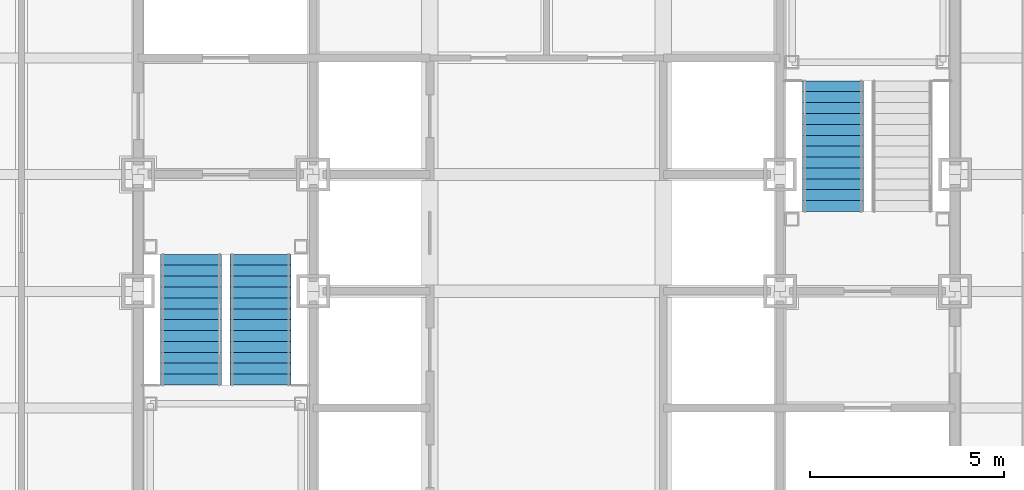
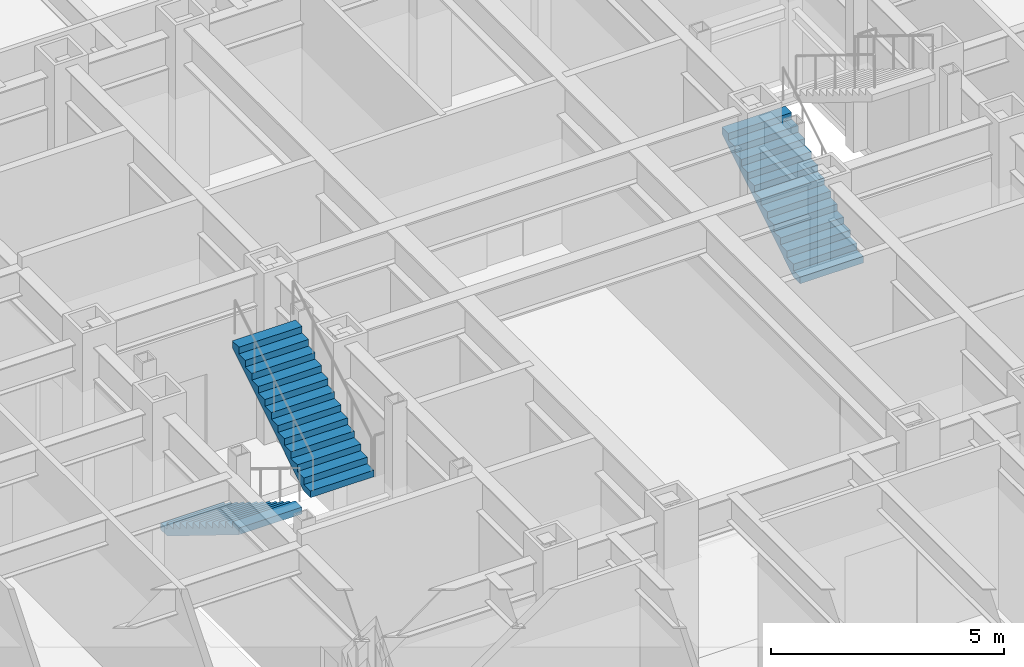
# One storey, part 12 of 17: 3 stair flights, 2 elements without a shape of their own.
"""IFC4 building model written with IfcOpenShell, lengths in metres."""

from ifc_helpers import new_model, si_unit, direction, frame, origin, place, context, subcontext, project, spatial, faceted_brep, material, type_object, element, aggregate, save


model = new_model("IFC4")

# Units and contexts
model_context = context("Model", 3, precision=1e-05, world=origin(), true_north=direction((0.0, 1.0)))
body_context = subcontext(model_context, "Body", "Model", "MODEL_VIEW")
ifc_project = project(units=[si_unit("LENGTHUNIT", "METRE"), si_unit("AREAUNIT", "SQUARE_METRE"), si_unit("VOLUMEUNIT", "CUBIC_METRE"), si_unit("PLANEANGLEUNIT", "RADIAN"), si_unit("MASSUNIT", "GRAM", prefix="KILO")], contexts=[model_context])

# Site, building, storey
site_placement = place(None, origin())
site = spatial("IfcSite", under=ifc_project, at=site_placement, CompositionType="ELEMENT")
building_placement = place(site_placement, origin())
building = spatial("IfcBuilding", under=site, at=building_placement, Name="Chuquiago Exchange Tower", CompositionType="ELEMENT")
storey_placement = place(building_placement, frame((0.0, 0.0, 69.300048828125)))
storey = spatial("IfcBuildingStorey", under=building, at=storey_placement, Name="L14", CompositionType="ELEMENT", Elevation=69.300048828125)

# Stair, stair flights
ifc_material_1 = material(Name="Concrete C30/37, precast", Category="concrete")
stair_type_1 = type_object("IfcStairType", Name="ST1 half-turn stair 4500", PredefinedType="HALF_TURN_STAIR", material=ifc_material_1)
stair_1_placement = place(storey_placement, origin())
stair_1 = element("IfcStair", 1, at=stair_1_placement, inside=storey, type_object=stair_type_1, Name="Stair ST1 L14", PredefinedType="HALF_TURN_STAIR")
ifc_material_2 = material(Name="Concrete C30/37, precast", Category="concrete")
stair_flight_type = type_object("IfcStairFlightType", Name="ST-F flight 1570 for 4500 storey", PredefinedType="STRAIGHT", material=ifc_material_2)
stair_flight_1_placement = place(storey_placement, frame((13.360107421875, 21.949951171875, 0.0), z_axis=(0.0, 0.0, 1.0), x_axis=(0.0, -1.0, 0.0)))
stair_flight_1 = element("IfcStairFlight", 2, at=stair_flight_1_placement, type_object=stair_flight_type, Name="ST1 flight 1", NumberOfRisers=13, NumberOfTreads=12, PredefinedType="STRAIGHT", RiserHeight=0.173076923, TreadLength=0.28, context=body_context, shape_type="Brep", body=[
    faceted_brep([(0.0, 0.78515625, 0.0), (0.0, 0.78515625, 0.173095703125), (0.280029296875, 0.78515625, 0.173095703125), (0.280029296875, 0.78515625, 0.34619140625), (0.56005859375, 0.78515625, 0.34619140625), (0.56005859375, 0.78515625, 0.519287109375), (0.840087890625, 0.78515625, 0.519287109375), (0.840087890625, 0.78515625, 0.6923828125), (1.1201171875, 0.78515625, 0.6923828125), (1.1201171875, 0.78515625, 0.865478515625), (1.39990234375, 0.78515625, 0.865478515625), (1.39990234375, 0.78515625, 1.03857421875), (1.679931640625, 0.78515625, 1.03857421875), (1.679931640625, 0.78515625, 1.21142578125), (1.9599609375, 0.78515625, 1.21142578125), (1.9599609375, 0.78515625, 1.384521484375), (2.239990234375, 0.78515625, 1.384521484375), (2.239990234375, 0.78515625, 1.5576171875), (2.52001953125, 0.78515625, 1.5576171875), (2.52001953125, 0.78515625, 1.730712890625), (2.800048828125, 0.78515625, 1.730712890625), (2.800048828125, 0.78515625, 1.90380859375), (3.080078125, 0.78515625, 1.90380859375), (3.080078125, 0.78515625, 2.076904296875), (3.360107421875, 0.78515625, 2.076904296875), (3.360107421875, 0.78515625, 1.900634765625), (0.28515625, 0.78515625, 0.0), (0.28515625, -0.78515625, 0.0), (3.360107421875, -0.78515625, 1.900634765625), (3.360107421875, -0.78515625, 2.076904296875), (3.080078125, -0.78515625, 2.076904296875), (3.080078125, -0.78515625, 1.90380859375), (2.800048828125, -0.78515625, 1.90380859375), (2.800048828125, -0.78515625, 1.730712890625), (2.52001953125, -0.78515625, 1.730712890625), (2.52001953125, -0.78515625, 1.5576171875), (2.239990234375, -0.78515625, 1.5576171875), (2.239990234375, -0.78515625, 1.384521484375), (1.9599609375, -0.78515625, 1.384521484375), (1.9599609375, -0.78515625, 1.21142578125), (1.679931640625, -0.78515625, 1.21142578125), (1.679931640625, -0.78515625, 1.03857421875), (1.39990234375, -0.78515625, 1.03857421875), (1.39990234375, -0.78515625, 0.865478515625), (1.1201171875, -0.78515625, 0.865478515625), (1.1201171875, -0.78515625, 0.6923828125), (0.840087890625, -0.78515625, 0.6923828125), (0.840087890625, -0.78515625, 0.519287109375), (0.56005859375, -0.78515625, 0.519287109375), (0.56005859375, -0.78515625, 0.34619140625), (0.280029296875, -0.78515625, 0.34619140625), (0.280029296875, -0.78515625, 0.173095703125), (0.0, -0.78515625, 0.173095703125), (0.0, -0.78515625, 0.0), (0.0, 0.392578125, 0.0), (0.0, 0.392578125, 0.173095703125), (0.0, 0.0, 0.0), (0.0, 0.0, 0.173095703125), (0.0, -0.392578125, 0.0), (0.0, -0.392578125, 0.173095703125), (0.280029296875, 0.392578125, 0.173095703125), (0.280029296875, 0.0, 0.173095703125), (0.280029296875, -0.392578125, 0.173095703125), (0.280029296875, 0.392578125, 0.34619140625), (0.280029296875, 0.0, 0.34619140625), (0.280029296875, -0.392578125, 0.34619140625), (0.56005859375, 0.392578125, 0.34619140625), (0.56005859375, 0.0, 0.34619140625), (0.56005859375, -0.392578125, 0.34619140625), (0.56005859375, 0.392578125, 0.519287109375), (0.56005859375, 0.0, 0.519287109375), (0.56005859375, -0.392578125, 0.519287109375), (0.840087890625, 0.392578125, 0.519287109375), (0.840087890625, 0.0, 0.519287109375), (0.840087890625, -0.392578125, 0.519287109375), (0.840087890625, 0.392578125, 0.6923828125), (0.840087890625, 0.0, 0.6923828125), (0.840087890625, -0.392578125, 0.6923828125), (1.1201171875, 0.392578125, 0.6923828125), (1.1201171875, 0.0, 0.6923828125), (1.1201171875, -0.392578125, 0.6923828125), (1.1201171875, 0.392578125, 0.865478515625), (1.1201171875, 0.0, 0.865478515625), (1.1201171875, -0.392578125, 0.865478515625), (1.39990234375, 0.392578125, 0.865478515625), (1.39990234375, 0.0, 0.865478515625), (1.39990234375, -0.392578125, 0.865478515625), (1.39990234375, 0.392578125, 1.03857421875), (1.39990234375, 0.0, 1.03857421875), (1.39990234375, -0.392578125, 1.03857421875), (1.679931640625, 0.392578125, 1.03857421875), (1.679931640625, 0.0, 1.03857421875), (1.679931640625, -0.392578125, 1.03857421875), (1.679931640625, 0.392578125, 1.21142578125), (1.679931640625, 0.0, 1.21142578125), (1.679931640625, -0.392578125, 1.21142578125), (1.9599609375, 0.392578125, 1.21142578125), (1.9599609375, 0.0, 1.21142578125), (1.9599609375, -0.392578125, 1.21142578125), (1.9599609375, 0.392578125, 1.384521484375), (1.9599609375, 0.0, 1.384521484375), (1.9599609375, -0.392578125, 1.384521484375), (2.239990234375, 0.392578125, 1.384521484375), (2.239990234375, 0.0, 1.384521484375), (2.239990234375, -0.392578125, 1.384521484375), (2.239990234375, 0.392578125, 1.5576171875), (2.239990234375, 0.0, 1.5576171875), (2.239990234375, -0.392578125, 1.5576171875), (2.52001953125, 0.392578125, 1.5576171875), (2.52001953125, 0.0, 1.5576171875), (2.52001953125, -0.392578125, 1.5576171875), (2.52001953125, 0.392578125, 1.730712890625), (2.52001953125, 0.0, 1.730712890625), (2.52001953125, -0.392578125, 1.730712890625), (2.800048828125, 0.392578125, 1.730712890625), (2.800048828125, 0.0, 1.730712890625), (2.800048828125, -0.392578125, 1.730712890625), (2.800048828125, 0.392578125, 1.90380859375), (2.800048828125, 0.0, 1.90380859375), (2.800048828125, -0.392578125, 1.90380859375), (3.080078125, 0.392578125, 1.90380859375), (3.080078125, 0.0, 1.90380859375), (3.080078125, -0.392578125, 1.90380859375), (3.080078125, 0.392578125, 2.076904296875), (3.080078125, 0.0, 2.076904296875), (3.080078125, -0.392578125, 2.076904296875), (3.360107421875, 0.392578125, 2.076904296875), (3.360107421875, 0.0, 2.076904296875), (3.360107421875, -0.392578125, 2.076904296875), (3.360107421875, 0.392578125, 1.900634765625), (3.360107421875, 0.0, 1.900634765625), (3.360107421875, -0.392578125, 1.900634765625), (0.28515625, 0.392578125, 0.0), (0.28515625, 0.0, 0.0), (0.28515625, -0.392578125, 0.0)], [[[0, 1, 2, 3, 4, 5, 6, 7, 8, 9, 10, 11, 12, 13, 14, 15, 16, 17, 18, 19, 20, 21, 22, 23, 24, 25, 26]], [[27, 28, 29, 30, 31, 32, 33, 34, 35, 36, 37, 38, 39, 40, 41, 42, 43, 44, 45, 46, 47, 48, 49, 50, 51, 52, 53]], [[1, 0, 54, 55]], [[55, 54, 56, 57]], [[57, 56, 58, 59]], [[59, 58, 53, 52]], [[2, 1, 55, 60]], [[60, 55, 57, 61]], [[61, 57, 59, 62]], [[62, 59, 52, 51]], [[3, 2, 60, 63]], [[63, 60, 61, 64]], [[64, 61, 62, 65]], [[65, 62, 51, 50]], [[4, 3, 63, 66]], [[66, 63, 64, 67]], [[67, 64, 65, 68]], [[68, 65, 50, 49]], [[5, 4, 66, 69]], [[69, 66, 67, 70]], [[70, 67, 68, 71]], [[71, 68, 49, 48]], [[6, 5, 69, 72]], [[72, 69, 70, 73]], [[73, 70, 71, 74]], [[74, 71, 48, 47]], [[7, 6, 72, 75]], [[75, 72, 73, 76]], [[76, 73, 74, 77]], [[77, 74, 47, 46]], [[8, 7, 75, 78]], [[78, 75, 76, 79]], [[79, 76, 77, 80]], [[80, 77, 46, 45]], [[9, 8, 78, 81]], [[81, 78, 79, 82]], [[82, 79, 80, 83]], [[83, 80, 45, 44]], [[10, 9, 81, 84]], [[84, 81, 82, 85]], [[85, 82, 83, 86]], [[86, 83, 44, 43]], [[11, 10, 84, 87]], [[87, 84, 85, 88]], [[88, 85, 86, 89]], [[89, 86, 43, 42]], [[12, 11, 87, 90]], [[90, 87, 88, 91]], [[91, 88, 89, 92]], [[92, 89, 42, 41]], [[13, 12, 90, 93]], [[93, 90, 91, 94]], [[94, 91, 92, 95]], [[95, 92, 41, 40]], [[14, 13, 93, 96]], [[96, 93, 94, 97]], [[97, 94, 95, 98]], [[98, 95, 40, 39]], [[15, 14, 96, 99]], [[99, 96, 97, 100]], [[100, 97, 98, 101]], [[101, 98, 39, 38]], [[16, 15, 99, 102]], [[102, 99, 100, 103]], [[103, 100, 101, 104]], [[104, 101, 38, 37]], [[17, 16, 102, 105]], [[105, 102, 103, 106]], [[106, 103, 104, 107]], [[107, 104, 37, 36]], [[18, 17, 105, 108]], [[108, 105, 106, 109]], [[109, 106, 107, 110]], [[110, 107, 36, 35]], [[19, 18, 108, 111]], [[111, 108, 109, 112]], [[112, 109, 110, 113]], [[113, 110, 35, 34]], [[20, 19, 111, 114]], [[114, 111, 112, 115]], [[115, 112, 113, 116]], [[116, 113, 34, 33]], [[21, 20, 114, 117]], [[117, 114, 115, 118]], [[118, 115, 116, 119]], [[119, 116, 33, 32]], [[22, 21, 117, 120]], [[120, 117, 118, 121]], [[121, 118, 119, 122]], [[122, 119, 32, 31]], [[23, 22, 120, 123]], [[123, 120, 121, 124]], [[124, 121, 122, 125]], [[125, 122, 31, 30]], [[24, 23, 123, 126]], [[126, 123, 124, 127]], [[127, 124, 125, 128]], [[128, 125, 30, 29]], [[25, 24, 126, 129]], [[129, 126, 127, 130]], [[130, 127, 128, 131]], [[131, 128, 29, 28]], [[26, 25, 129, 132]], [[132, 129, 130, 133]], [[133, 130, 131, 134]], [[134, 131, 28, 27]], [[0, 26, 132, 54]], [[54, 132, 133, 56]], [[56, 133, 134, 58]], [[58, 134, 27, 53]]]),
])
stair_flight_2_placement = place(storey_placement, frame((15.139892578125, 18.590087890625, 2.25), z_axis=(0.0, 0.0, 1.0), x_axis=(0.0, 1.0, 0.0)))
stair_flight_2 = element("IfcStairFlight", 3, at=stair_flight_2_placement, type_object=stair_flight_type, Name="ST1 flight 2", NumberOfRisers=13, NumberOfTreads=12, PredefinedType="STRAIGHT", RiserHeight=0.173076923, TreadLength=0.28, context=body_context, shape_type="Brep", body=[
    faceted_brep([(0.0, 0.78515625, 0.0), (0.0, 0.78515625, 0.173095703125), (0.280029296875, 0.78515625, 0.173095703125), (0.280029296875, 0.78515625, 0.34619140625), (0.56005859375, 0.78515625, 0.34619140625), (0.56005859375, 0.78515625, 0.519287109375), (0.840087890625, 0.78515625, 0.519287109375), (0.840087890625, 0.78515625, 0.6923828125), (1.1201171875, 0.78515625, 0.6923828125), (1.1201171875, 0.78515625, 0.865478515625), (1.39990234375, 0.78515625, 0.865478515625), (1.39990234375, 0.78515625, 1.03857421875), (1.679931640625, 0.78515625, 1.03857421875), (1.679931640625, 0.78515625, 1.21142578125), (1.9599609375, 0.78515625, 1.21142578125), (1.9599609375, 0.78515625, 1.384521484375), (2.239990234375, 0.78515625, 1.384521484375), (2.239990234375, 0.78515625, 1.5576171875), (2.52001953125, 0.78515625, 1.5576171875), (2.52001953125, 0.78515625, 1.730712890625), (2.800048828125, 0.78515625, 1.730712890625), (2.800048828125, 0.78515625, 1.90380859375), (3.080078125, 0.78515625, 1.90380859375), (3.080078125, 0.78515625, 2.076904296875), (3.360107421875, 0.78515625, 2.076904296875), (3.360107421875, 0.78515625, 1.900634765625), (0.28515625, 0.78515625, 0.0), (0.28515625, -0.78515625, 0.0), (3.360107421875, -0.78515625, 1.900634765625), (3.360107421875, -0.78515625, 2.076904296875), (3.080078125, -0.78515625, 2.076904296875), (3.080078125, -0.78515625, 1.90380859375), (2.800048828125, -0.78515625, 1.90380859375), (2.800048828125, -0.78515625, 1.730712890625), (2.52001953125, -0.78515625, 1.730712890625), (2.52001953125, -0.78515625, 1.5576171875), (2.239990234375, -0.78515625, 1.5576171875), (2.239990234375, -0.78515625, 1.384521484375), (1.9599609375, -0.78515625, 1.384521484375), (1.9599609375, -0.78515625, 1.21142578125), (1.679931640625, -0.78515625, 1.21142578125), (1.679931640625, -0.78515625, 1.03857421875), (1.39990234375, -0.78515625, 1.03857421875), (1.39990234375, -0.78515625, 0.865478515625), (1.1201171875, -0.78515625, 0.865478515625), (1.1201171875, -0.78515625, 0.6923828125), (0.840087890625, -0.78515625, 0.6923828125), (0.840087890625, -0.78515625, 0.519287109375), (0.56005859375, -0.78515625, 0.519287109375), (0.56005859375, -0.78515625, 0.34619140625), (0.280029296875, -0.78515625, 0.34619140625), (0.280029296875, -0.78515625, 0.173095703125), (0.0, -0.78515625, 0.173095703125), (0.0, -0.78515625, 0.0), (0.0, 0.392578125, 0.0), (0.0, 0.392578125, 0.173095703125), (0.0, 0.0, 0.0), (0.0, 0.0, 0.173095703125), (0.0, -0.392578125, 0.0), (0.0, -0.392578125, 0.173095703125), (0.280029296875, 0.392578125, 0.173095703125), (0.280029296875, 0.0, 0.173095703125), (0.280029296875, -0.392578125, 0.173095703125), (0.280029296875, 0.392578125, 0.34619140625), (0.280029296875, 0.0, 0.34619140625), (0.280029296875, -0.392578125, 0.34619140625), (0.56005859375, 0.392578125, 0.34619140625), (0.56005859375, 0.0, 0.34619140625), (0.56005859375, -0.392578125, 0.34619140625), (0.56005859375, 0.392578125, 0.519287109375), (0.56005859375, 0.0, 0.519287109375), (0.56005859375, -0.392578125, 0.519287109375), (0.840087890625, 0.392578125, 0.519287109375), (0.840087890625, 0.0, 0.519287109375), (0.840087890625, -0.392578125, 0.519287109375), (0.840087890625, 0.392578125, 0.6923828125), (0.840087890625, 0.0, 0.6923828125), (0.840087890625, -0.392578125, 0.6923828125), (1.1201171875, 0.392578125, 0.6923828125), (1.1201171875, 0.0, 0.6923828125), (1.1201171875, -0.392578125, 0.6923828125), (1.1201171875, 0.392578125, 0.865478515625), (1.1201171875, 0.0, 0.865478515625), (1.1201171875, -0.392578125, 0.865478515625), (1.39990234375, 0.392578125, 0.865478515625), (1.39990234375, 0.0, 0.865478515625), (1.39990234375, -0.392578125, 0.865478515625), (1.39990234375, 0.392578125, 1.03857421875), (1.39990234375, 0.0, 1.03857421875), (1.39990234375, -0.392578125, 1.03857421875), (1.679931640625, 0.392578125, 1.03857421875), (1.679931640625, 0.0, 1.03857421875), (1.679931640625, -0.392578125, 1.03857421875), (1.679931640625, 0.392578125, 1.21142578125), (1.679931640625, 0.0, 1.21142578125), (1.679931640625, -0.392578125, 1.21142578125), (1.9599609375, 0.392578125, 1.21142578125), (1.9599609375, 0.0, 1.21142578125), (1.9599609375, -0.392578125, 1.21142578125), (1.9599609375, 0.392578125, 1.384521484375), (1.9599609375, 0.0, 1.384521484375), (1.9599609375, -0.392578125, 1.384521484375), (2.239990234375, 0.392578125, 1.384521484375), (2.239990234375, 0.0, 1.384521484375), (2.239990234375, -0.392578125, 1.384521484375), (2.239990234375, 0.392578125, 1.5576171875), (2.239990234375, 0.0, 1.5576171875), (2.239990234375, -0.392578125, 1.5576171875), (2.52001953125, 0.392578125, 1.5576171875), (2.52001953125, 0.0, 1.5576171875), (2.52001953125, -0.392578125, 1.5576171875), (2.52001953125, 0.392578125, 1.730712890625), (2.52001953125, 0.0, 1.730712890625), (2.52001953125, -0.392578125, 1.730712890625), (2.800048828125, 0.392578125, 1.730712890625), (2.800048828125, 0.0, 1.730712890625), (2.800048828125, -0.392578125, 1.730712890625), (2.800048828125, 0.392578125, 1.90380859375), (2.800048828125, 0.0, 1.90380859375), (2.800048828125, -0.392578125, 1.90380859375), (3.080078125, 0.392578125, 1.90380859375), (3.080078125, 0.0, 1.90380859375), (3.080078125, -0.392578125, 1.90380859375), (3.080078125, 0.392578125, 2.076904296875), (3.080078125, 0.0, 2.076904296875), (3.080078125, -0.392578125, 2.076904296875), (3.360107421875, 0.392578125, 2.076904296875), (3.360107421875, 0.0, 2.076904296875), (3.360107421875, -0.392578125, 2.076904296875), (3.360107421875, 0.392578125, 1.900634765625), (3.360107421875, 0.0, 1.900634765625), (3.360107421875, -0.392578125, 1.900634765625), (0.28515625, 0.392578125, 0.0), (0.28515625, 0.0, 0.0), (0.28515625, -0.392578125, 0.0)], [[[0, 1, 2, 3, 4, 5, 6, 7, 8, 9, 10, 11, 12, 13, 14, 15, 16, 17, 18, 19, 20, 21, 22, 23, 24, 25, 26]], [[27, 28, 29, 30, 31, 32, 33, 34, 35, 36, 37, 38, 39, 40, 41, 42, 43, 44, 45, 46, 47, 48, 49, 50, 51, 52, 53]], [[1, 0, 54, 55]], [[55, 54, 56, 57]], [[57, 56, 58, 59]], [[59, 58, 53, 52]], [[2, 1, 55, 60]], [[60, 55, 57, 61]], [[61, 57, 59, 62]], [[62, 59, 52, 51]], [[3, 2, 60, 63]], [[63, 60, 61, 64]], [[64, 61, 62, 65]], [[65, 62, 51, 50]], [[4, 3, 63, 66]], [[66, 63, 64, 67]], [[67, 64, 65, 68]], [[68, 65, 50, 49]], [[5, 4, 66, 69]], [[69, 66, 67, 70]], [[70, 67, 68, 71]], [[71, 68, 49, 48]], [[6, 5, 69, 72]], [[72, 69, 70, 73]], [[73, 70, 71, 74]], [[74, 71, 48, 47]], [[7, 6, 72, 75]], [[75, 72, 73, 76]], [[76, 73, 74, 77]], [[77, 74, 47, 46]], [[8, 7, 75, 78]], [[78, 75, 76, 79]], [[79, 76, 77, 80]], [[80, 77, 46, 45]], [[9, 8, 78, 81]], [[81, 78, 79, 82]], [[82, 79, 80, 83]], [[83, 80, 45, 44]], [[10, 9, 81, 84]], [[84, 81, 82, 85]], [[85, 82, 83, 86]], [[86, 83, 44, 43]], [[11, 10, 84, 87]], [[87, 84, 85, 88]], [[88, 85, 86, 89]], [[89, 86, 43, 42]], [[12, 11, 87, 90]], [[90, 87, 88, 91]], [[91, 88, 89, 92]], [[92, 89, 42, 41]], [[13, 12, 90, 93]], [[93, 90, 91, 94]], [[94, 91, 92, 95]], [[95, 92, 41, 40]], [[14, 13, 93, 96]], [[96, 93, 94, 97]], [[97, 94, 95, 98]], [[98, 95, 40, 39]], [[15, 14, 96, 99]], [[99, 96, 97, 100]], [[100, 97, 98, 101]], [[101, 98, 39, 38]], [[16, 15, 99, 102]], [[102, 99, 100, 103]], [[103, 100, 101, 104]], [[104, 101, 38, 37]], [[17, 16, 102, 105]], [[105, 102, 103, 106]], [[106, 103, 104, 107]], [[107, 104, 37, 36]], [[18, 17, 105, 108]], [[108, 105, 106, 109]], [[109, 106, 107, 110]], [[110, 107, 36, 35]], [[19, 18, 108, 111]], [[111, 108, 109, 112]], [[112, 109, 110, 113]], [[113, 110, 35, 34]], [[20, 19, 111, 114]], [[114, 111, 112, 115]], [[115, 112, 113, 116]], [[116, 113, 34, 33]], [[21, 20, 114, 117]], [[117, 114, 115, 118]], [[118, 115, 116, 119]], [[119, 116, 33, 32]], [[22, 21, 117, 120]], [[120, 117, 118, 121]], [[121, 118, 119, 122]], [[122, 119, 32, 31]], [[23, 22, 120, 123]], [[123, 120, 121, 124]], [[124, 121, 122, 125]], [[125, 122, 31, 30]], [[24, 23, 123, 126]], [[126, 123, 124, 127]], [[127, 124, 125, 128]], [[128, 125, 30, 29]], [[25, 24, 126, 129]], [[129, 126, 127, 130]], [[130, 127, 128, 131]], [[131, 128, 29, 28]], [[26, 25, 129, 132]], [[132, 129, 130, 133]], [[133, 130, 131, 134]], [[134, 131, 28, 27]], [[0, 26, 132, 54]], [[54, 132, 133, 56]], [[56, 133, 134, 58]], [[58, 134, 27, 53]]]),
])
aggregate(stair_1, [stair_flight_1, stair_flight_2])

# Stair, stair flight
ifc_material_3 = material(Name="Concrete C30/37, precast", Category="concrete")
stair_type_2 = type_object("IfcStairType", Name="ST2 half-turn stair 4500", PredefinedType="HALF_TURN_STAIR", material=ifc_material_3)
stair_2_placement = place(storey_placement, origin())
stair_2 = element("IfcStair", 4, at=stair_2_placement, inside=storey, type_object=stair_type_2, Name="Stair ST2 L14", PredefinedType="HALF_TURN_STAIR")
stair_flight_3_placement = place(storey_placement, frame((29.860107421875, 23.050048828125, 0.0), z_axis=(0.0, 0.0, 1.0), x_axis=(0.0, 1.0, 0.0)))
stair_flight_3 = element("IfcStairFlight", 5, at=stair_flight_3_placement, type_object=stair_flight_type, Name="ST2 flight 1", NumberOfRisers=13, NumberOfTreads=12, PredefinedType="STRAIGHT", RiserHeight=0.173076923, TreadLength=0.28, context=body_context, shape_type="Brep", body=[
    faceted_brep([(0.0, 0.78515625, 0.0), (0.0, 0.78515625, 0.173095703125), (0.280029296875, 0.78515625, 0.173095703125), (0.280029296875, 0.78515625, 0.34619140625), (0.56005859375, 0.78515625, 0.34619140625), (0.56005859375, 0.78515625, 0.519287109375), (0.840087890625, 0.78515625, 0.519287109375), (0.840087890625, 0.78515625, 0.6923828125), (1.1201171875, 0.78515625, 0.6923828125), (1.1201171875, 0.78515625, 0.865478515625), (1.39990234375, 0.78515625, 0.865478515625), (1.39990234375, 0.78515625, 1.03857421875), (1.679931640625, 0.78515625, 1.03857421875), (1.679931640625, 0.78515625, 1.21142578125), (1.9599609375, 0.78515625, 1.21142578125), (1.9599609375, 0.78515625, 1.384521484375), (2.239990234375, 0.78515625, 1.384521484375), (2.239990234375, 0.78515625, 1.5576171875), (2.52001953125, 0.78515625, 1.5576171875), (2.52001953125, 0.78515625, 1.730712890625), (2.800048828125, 0.78515625, 1.730712890625), (2.800048828125, 0.78515625, 1.90380859375), (3.080078125, 0.78515625, 1.90380859375), (3.080078125, 0.78515625, 2.076904296875), (3.360107421875, 0.78515625, 2.076904296875), (3.360107421875, 0.78515625, 1.900634765625), (0.28515625, 0.78515625, 0.0), (0.28515625, -0.78515625, 0.0), (3.360107421875, -0.78515625, 1.900634765625), (3.360107421875, -0.78515625, 2.076904296875), (3.080078125, -0.78515625, 2.076904296875), (3.080078125, -0.78515625, 1.90380859375), (2.800048828125, -0.78515625, 1.90380859375), (2.800048828125, -0.78515625, 1.730712890625), (2.52001953125, -0.78515625, 1.730712890625), (2.52001953125, -0.78515625, 1.5576171875), (2.239990234375, -0.78515625, 1.5576171875), (2.239990234375, -0.78515625, 1.384521484375), (1.9599609375, -0.78515625, 1.384521484375), (1.9599609375, -0.78515625, 1.21142578125), (1.679931640625, -0.78515625, 1.21142578125), (1.679931640625, -0.78515625, 1.03857421875), (1.39990234375, -0.78515625, 1.03857421875), (1.39990234375, -0.78515625, 0.865478515625), (1.1201171875, -0.78515625, 0.865478515625), (1.1201171875, -0.78515625, 0.6923828125), (0.840087890625, -0.78515625, 0.6923828125), (0.840087890625, -0.78515625, 0.519287109375), (0.56005859375, -0.78515625, 0.519287109375), (0.56005859375, -0.78515625, 0.34619140625), (0.280029296875, -0.78515625, 0.34619140625), (0.280029296875, -0.78515625, 0.173095703125), (0.0, -0.78515625, 0.173095703125), (0.0, -0.78515625, 0.0), (0.0, 0.392578125, 0.0), (0.0, 0.392578125, 0.173095703125), (0.0, 0.0, 0.0), (0.0, 0.0, 0.173095703125), (0.0, -0.392578125, 0.0), (0.0, -0.392578125, 0.173095703125), (0.280029296875, 0.392578125, 0.173095703125), (0.280029296875, 0.0, 0.173095703125), (0.280029296875, -0.392578125, 0.173095703125), (0.280029296875, 0.392578125, 0.34619140625), (0.280029296875, 0.0, 0.34619140625), (0.280029296875, -0.392578125, 0.34619140625), (0.56005859375, 0.392578125, 0.34619140625), (0.56005859375, 0.0, 0.34619140625), (0.56005859375, -0.392578125, 0.34619140625), (0.56005859375, 0.392578125, 0.519287109375), (0.56005859375, 0.0, 0.519287109375), (0.56005859375, -0.392578125, 0.519287109375), (0.840087890625, 0.392578125, 0.519287109375), (0.840087890625, 0.0, 0.519287109375), (0.840087890625, -0.392578125, 0.519287109375), (0.840087890625, 0.392578125, 0.6923828125), (0.840087890625, 0.0, 0.6923828125), (0.840087890625, -0.392578125, 0.6923828125), (1.1201171875, 0.392578125, 0.6923828125), (1.1201171875, 0.0, 0.6923828125), (1.1201171875, -0.392578125, 0.6923828125), (1.1201171875, 0.392578125, 0.865478515625), (1.1201171875, 0.0, 0.865478515625), (1.1201171875, -0.392578125, 0.865478515625), (1.39990234375, 0.392578125, 0.865478515625), (1.39990234375, 0.0, 0.865478515625), (1.39990234375, -0.392578125, 0.865478515625), (1.39990234375, 0.392578125, 1.03857421875), (1.39990234375, 0.0, 1.03857421875), (1.39990234375, -0.392578125, 1.03857421875), (1.679931640625, 0.392578125, 1.03857421875), (1.679931640625, 0.0, 1.03857421875), (1.679931640625, -0.392578125, 1.03857421875), (1.679931640625, 0.392578125, 1.21142578125), (1.679931640625, 0.0, 1.21142578125), (1.679931640625, -0.392578125, 1.21142578125), (1.9599609375, 0.392578125, 1.21142578125), (1.9599609375, 0.0, 1.21142578125), (1.9599609375, -0.392578125, 1.21142578125), (1.9599609375, 0.392578125, 1.384521484375), (1.9599609375, 0.0, 1.384521484375), (1.9599609375, -0.392578125, 1.384521484375), (2.239990234375, 0.392578125, 1.384521484375), (2.239990234375, 0.0, 1.384521484375), (2.239990234375, -0.392578125, 1.384521484375), (2.239990234375, 0.392578125, 1.5576171875), (2.239990234375, 0.0, 1.5576171875), (2.239990234375, -0.392578125, 1.5576171875), (2.52001953125, 0.392578125, 1.5576171875), (2.52001953125, 0.0, 1.5576171875), (2.52001953125, -0.392578125, 1.5576171875), (2.52001953125, 0.392578125, 1.730712890625), (2.52001953125, 0.0, 1.730712890625), (2.52001953125, -0.392578125, 1.730712890625), (2.800048828125, 0.392578125, 1.730712890625), (2.800048828125, 0.0, 1.730712890625), (2.800048828125, -0.392578125, 1.730712890625), (2.800048828125, 0.392578125, 1.90380859375), (2.800048828125, 0.0, 1.90380859375), (2.800048828125, -0.392578125, 1.90380859375), (3.080078125, 0.392578125, 1.90380859375), (3.080078125, 0.0, 1.90380859375), (3.080078125, -0.392578125, 1.90380859375), (3.080078125, 0.392578125, 2.076904296875), (3.080078125, 0.0, 2.076904296875), (3.080078125, -0.392578125, 2.076904296875), (3.360107421875, 0.392578125, 2.076904296875), (3.360107421875, 0.0, 2.076904296875), (3.360107421875, -0.392578125, 2.076904296875), (3.360107421875, 0.392578125, 1.900634765625), (3.360107421875, 0.0, 1.900634765625), (3.360107421875, -0.392578125, 1.900634765625), (0.28515625, 0.392578125, 0.0), (0.28515625, 0.0, 0.0), (0.28515625, -0.392578125, 0.0)], [[[0, 1, 2, 3, 4, 5, 6, 7, 8, 9, 10, 11, 12, 13, 14, 15, 16, 17, 18, 19, 20, 21, 22, 23, 24, 25, 26]], [[27, 28, 29, 30, 31, 32, 33, 34, 35, 36, 37, 38, 39, 40, 41, 42, 43, 44, 45, 46, 47, 48, 49, 50, 51, 52, 53]], [[1, 0, 54, 55]], [[55, 54, 56, 57]], [[57, 56, 58, 59]], [[59, 58, 53, 52]], [[2, 1, 55, 60]], [[60, 55, 57, 61]], [[61, 57, 59, 62]], [[62, 59, 52, 51]], [[3, 2, 60, 63]], [[63, 60, 61, 64]], [[64, 61, 62, 65]], [[65, 62, 51, 50]], [[4, 3, 63, 66]], [[66, 63, 64, 67]], [[67, 64, 65, 68]], [[68, 65, 50, 49]], [[5, 4, 66, 69]], [[69, 66, 67, 70]], [[70, 67, 68, 71]], [[71, 68, 49, 48]], [[6, 5, 69, 72]], [[72, 69, 70, 73]], [[73, 70, 71, 74]], [[74, 71, 48, 47]], [[7, 6, 72, 75]], [[75, 72, 73, 76]], [[76, 73, 74, 77]], [[77, 74, 47, 46]], [[8, 7, 75, 78]], [[78, 75, 76, 79]], [[79, 76, 77, 80]], [[80, 77, 46, 45]], [[9, 8, 78, 81]], [[81, 78, 79, 82]], [[82, 79, 80, 83]], [[83, 80, 45, 44]], [[10, 9, 81, 84]], [[84, 81, 82, 85]], [[85, 82, 83, 86]], [[86, 83, 44, 43]], [[11, 10, 84, 87]], [[87, 84, 85, 88]], [[88, 85, 86, 89]], [[89, 86, 43, 42]], [[12, 11, 87, 90]], [[90, 87, 88, 91]], [[91, 88, 89, 92]], [[92, 89, 42, 41]], [[13, 12, 90, 93]], [[93, 90, 91, 94]], [[94, 91, 92, 95]], [[95, 92, 41, 40]], [[14, 13, 93, 96]], [[96, 93, 94, 97]], [[97, 94, 95, 98]], [[98, 95, 40, 39]], [[15, 14, 96, 99]], [[99, 96, 97, 100]], [[100, 97, 98, 101]], [[101, 98, 39, 38]], [[16, 15, 99, 102]], [[102, 99, 100, 103]], [[103, 100, 101, 104]], [[104, 101, 38, 37]], [[17, 16, 102, 105]], [[105, 102, 103, 106]], [[106, 103, 104, 107]], [[107, 104, 37, 36]], [[18, 17, 105, 108]], [[108, 105, 106, 109]], [[109, 106, 107, 110]], [[110, 107, 36, 35]], [[19, 18, 108, 111]], [[111, 108, 109, 112]], [[112, 109, 110, 113]], [[113, 110, 35, 34]], [[20, 19, 111, 114]], [[114, 111, 112, 115]], [[115, 112, 113, 116]], [[116, 113, 34, 33]], [[21, 20, 114, 117]], [[117, 114, 115, 118]], [[118, 115, 116, 119]], [[119, 116, 33, 32]], [[22, 21, 117, 120]], [[120, 117, 118, 121]], [[121, 118, 119, 122]], [[122, 119, 32, 31]], [[23, 22, 120, 123]], [[123, 120, 121, 124]], [[124, 121, 122, 125]], [[125, 122, 31, 30]], [[24, 23, 123, 126]], [[126, 123, 124, 127]], [[127, 124, 125, 128]], [[128, 125, 30, 29]], [[25, 24, 126, 129]], [[129, 126, 127, 130]], [[130, 127, 128, 131]], [[131, 128, 29, 28]], [[26, 25, 129, 132]], [[132, 129, 130, 133]], [[133, 130, 131, 134]], [[134, 131, 28, 27]], [[0, 26, 132, 54]], [[54, 132, 133, 56]], [[56, 133, 134, 58]], [[58, 134, 27, 53]]]),
])
aggregate(stair_2, [stair_flight_3])

save(model, "model.ifc")
